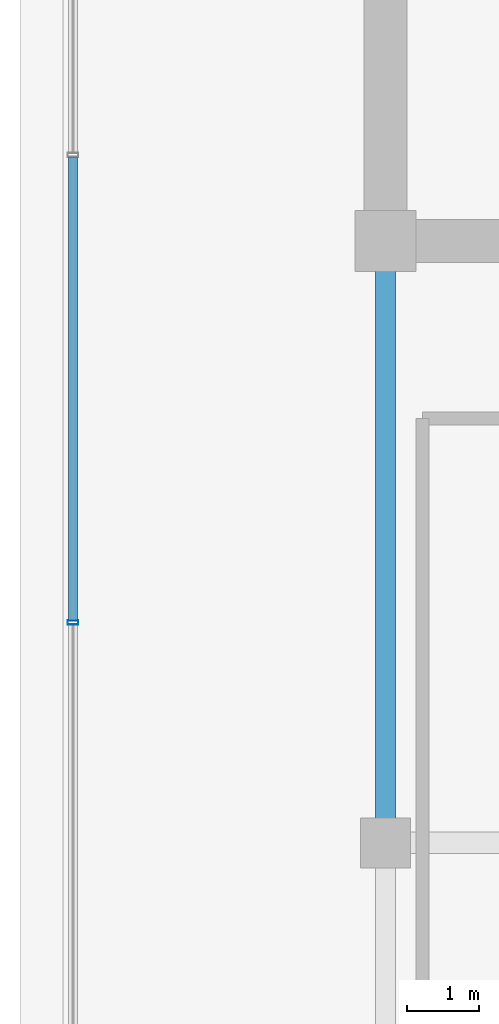
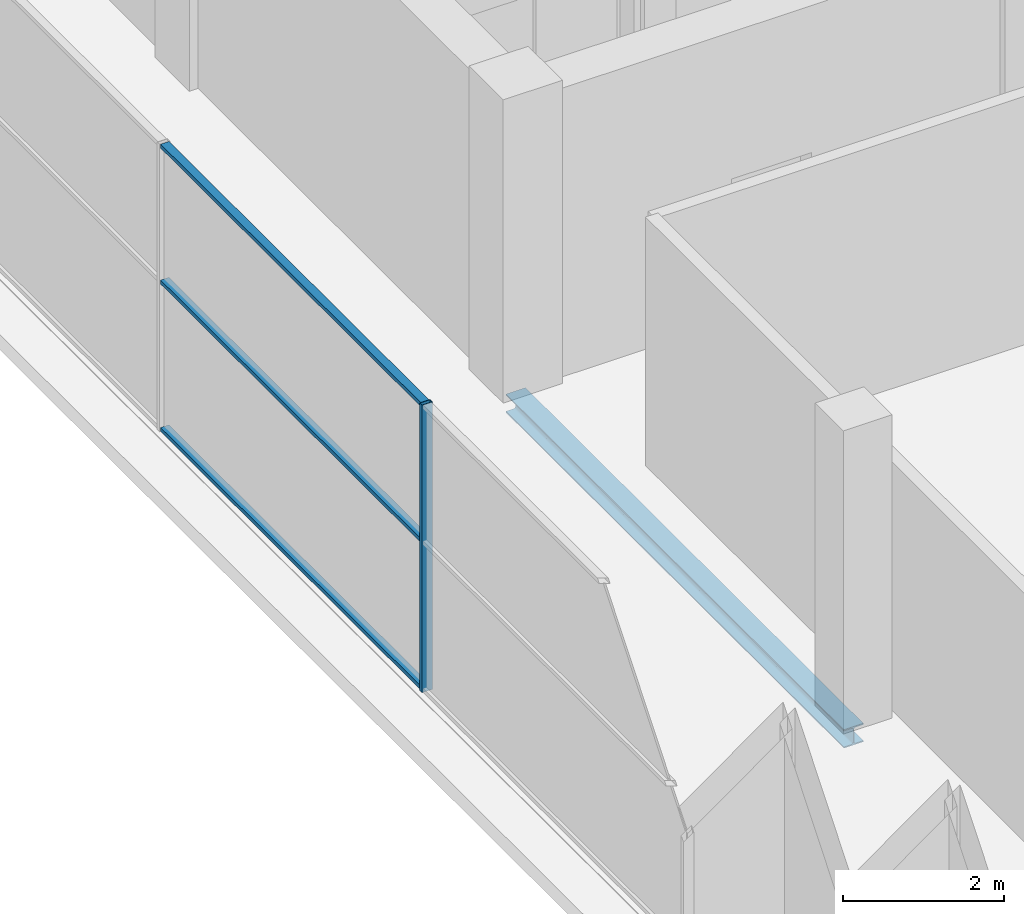
# One storey, part 5 of 26: 4 members, 1 beam, 1 element without a shape of its own.
"""IFC4 building model written with IfcOpenShell, lengths in metres."""

from ifc_helpers import new_model, si_unit, direction, frame, origin, origin_2d, place, context, subcontext, project, spatial, hollow_rectangle, i_section, extrude, source, transform, mapped, material, layer, layer_set, material_profile, profile_set, type_object, element, aggregate, save


model = new_model("IFC4")

# Units and contexts
model_context = context("Model", 3, precision=1e-05, world=origin(), true_north=direction((0.0, 1.0)))
body_context = subcontext(model_context, "Body", "Model", "MODEL_VIEW")
ifc_project = project(units=[si_unit("LENGTHUNIT", "METRE"), si_unit("AREAUNIT", "SQUARE_METRE"), si_unit("VOLUMEUNIT", "CUBIC_METRE"), si_unit("PLANEANGLEUNIT", "RADIAN"), si_unit("MASSUNIT", "GRAM", prefix="KILO")], contexts=[model_context])

# Site, building, storey
site_placement = place(None, origin())
site = spatial("IfcSite", under=ifc_project, at=site_placement, CompositionType="ELEMENT")
building_placement = place(site_placement, origin())
building = spatial("IfcBuilding", under=site, at=building_placement, Name="Zarnakvel Exchange Tower", CompositionType="ELEMENT")
storey_placement = place(building_placement, frame((0.0, 0.0, 285.39990234375)))
storey = spatial("IfcBuildingStorey", under=building, at=storey_placement, Name="Crown L80", CompositionType="ELEMENT", Elevation=285.39990234375)

# Beam
ifc_material_1 = material(Name="Steel S355", Category="steel")
ifc_material_profile_1 = material_profile(ifc_material_1, i_section(OverallWidth=0.280029296875, OverallDepth=0.280029296875, WebThickness=0.010498046875, FlangeThickness=0.01806640625, FilletRadius=0.02392578125, at=origin_2d()))
ifc_profile_set_1 = profile_set([ifc_material_profile_1], Name="Steel S355")
beam_type = type_object("IfcBeamType", Name="SP-04", PredefinedType="SPANDREL", material=ifc_profile_set_1)
beam_placement = place(storey_placement, frame((-14.39990234375, -9.60009765625, -0.35986328125), z_axis=(0.0, 1.0, 0.0), x_axis=(-1.0, 0.0, 0.0)))
element("IfcBeam", 1, at=beam_placement, inside=storey, type_object=beam_type, Name="Crown L80 Tower N-S Frame Beam", PredefinedType="SPANDREL", context=body_context, shape_type="SweptSolid", body=[
    extrude(i_section(OverallWidth=0.280029296875, OverallDepth=0.280029296875, WebThickness=0.010498046875, FlangeThickness=0.01806640625, FilletRadius=0.02392578125, at=origin_2d()), origin(), (0.0, 0.0, 1.0), 8.400146484375),
])

# Curtain wall, members
ifc_material_2 = material(Name="Architectural Bronze Anodised Aluminium", Category="aluminium")
ifc_layer = layer(ifc_material_2, 0.14990234375)
ifc_layer_set = layer_set([ifc_layer], Name="Architectural Bronze Anodised Aluminium")
curtain_wall_type = type_object("IfcCurtainWallType", Name="CW-07", PredefinedType="NOTDEFINED", material=ifc_layer_set)
curtain_wall_placement = place(storey_placement, origin())
curtain_wall = element("IfcCurtainWall", 2, at=curtain_wall_placement, inside=storey, type_object=curtain_wall_type, Name="Crown L80 Curtain Wall CW-Crown L80-W (CW-07)", PredefinedType="NOTDEFINED")
ifc_material_profile_2 = material_profile(ifc_material_2, hollow_rectangle(XDim=0.14990234375, YDim=0.06005859375, WallThickness=0.00390625, at=origin_2d()))
ifc_profile_set_2 = profile_set([ifc_material_profile_2], Name="Architectural Bronze Anodised Aluminium")
member_type_1 = type_object("IfcMemberType", Name="CWM-07", PredefinedType="MULLION", material=ifc_profile_set_2)
shared_shape_1 = source(origin(), body_context, "Body", "SweptSolid", [
    extrude(hollow_rectangle(XDim=0.14990234375, YDim=0.06005859375, WallThickness=0.00390625, at=origin_2d()), origin(), (0.0, 0.0, 1.0), 4.360107421875),
])
member_1_placement = place(storey_placement, frame((-18.760009765625, -6.52490234375, 0.0), z_axis=(0.0, 0.0, 1.0), x_axis=(-1.0, 0.0, 0.0)))
member_1 = element("IfcMember", 3, at=member_1_placement, type_object=member_type_1, Name="CW-07 mullion 2", PredefinedType="MULLION", context=body_context, shape_type="MappedRepresentation", body=[
    mapped(shared_shape_1, transform((0.0, 0.0, 0.0), x_axis=(1.0, 0.0, 0.0), y_axis=(0.0, 1.0, 0.0), z_axis=(0.0, 0.0, 1.0), scale=1.0)),
])
ifc_material_profile_3 = material_profile(ifc_material_2, hollow_rectangle(XDim=0.1201171875, YDim=0.06005859375, WallThickness=0.00390625, at=origin_2d()))
ifc_profile_set_3 = profile_set([ifc_material_profile_3], Name="Architectural Bronze Anodised Aluminium")
member_type_2 = type_object("IfcMemberType", Name="CWT-07", PredefinedType="USERDEFINED", material=ifc_profile_set_3)
shared_shape_2 = source(origin(), body_context, "Body", "SweptSolid", [
    extrude(hollow_rectangle(XDim=0.1201171875, YDim=0.06005859375, WallThickness=0.00390625, at=origin_2d()), origin(), (0.0, 0.0, 1.0), 6.465087890625),
])
member_2_placement = place(storey_placement, frame((-18.760009765625, -6.4951171875, 0.030029296875), z_axis=(0.0, 1.0, 0.0), x_axis=(-1.0, 0.0, 0.0)))
member_2 = element("IfcMember", 4, at=member_2_placement, type_object=member_type_2, Name="CW-07 transom 2.1", ObjectType="TRANSOM", PredefinedType="USERDEFINED", context=body_context, shape_type="MappedRepresentation", body=[
    mapped(shared_shape_2, transform((0.0, 0.0, 0.0), x_axis=(1.0, 0.0, 0.0), y_axis=(0.0, 1.0, 0.0), z_axis=(0.0, 0.0, 1.0), scale=1.0)),
])
member_3_placement = place(storey_placement, frame((-18.760009765625, -6.4951171875, 2.267333984375), z_axis=(0.0, 1.0, 0.0), x_axis=(-1.0, 0.0, 0.0)))
member_3 = element("IfcMember", 5, at=member_3_placement, type_object=member_type_2, Name="CW-07 transom 2.2", ObjectType="TRANSOM", PredefinedType="USERDEFINED", context=body_context, shape_type="MappedRepresentation", body=[
    mapped(shared_shape_2, transform((0.0, 0.0, 0.0), x_axis=(1.0, 0.0, 0.0), y_axis=(0.0, 1.0, 0.0), z_axis=(0.0, 0.0, 1.0), scale=1.0)),
])
member_4_placement = place(storey_placement, frame((-18.760009765625, -6.4951171875, 4.330078125), z_axis=(0.0, 1.0, 0.0), x_axis=(-1.0, 0.0, 0.0)))
member_4 = element("IfcMember", 6, at=member_4_placement, type_object=member_type_2, Name="CW-07 transom 2.3", ObjectType="TRANSOM", PredefinedType="USERDEFINED", context=body_context, shape_type="MappedRepresentation", body=[
    mapped(shared_shape_2, transform((0.0, 0.0, 0.0), x_axis=(1.0, 0.0, 0.0), y_axis=(0.0, 1.0, 0.0), z_axis=(0.0, 0.0, 1.0), scale=1.0)),
])
aggregate(curtain_wall, [member_1, member_2, member_3, member_4])

save(model, "model.ifc")
